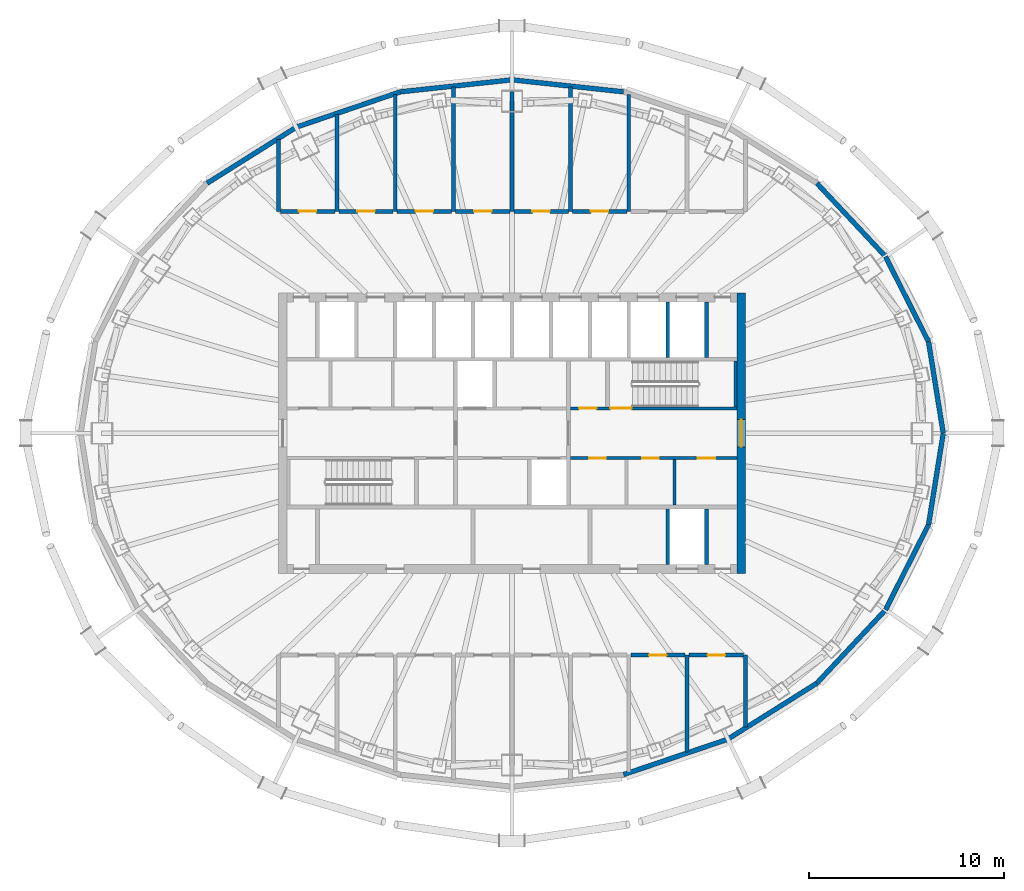
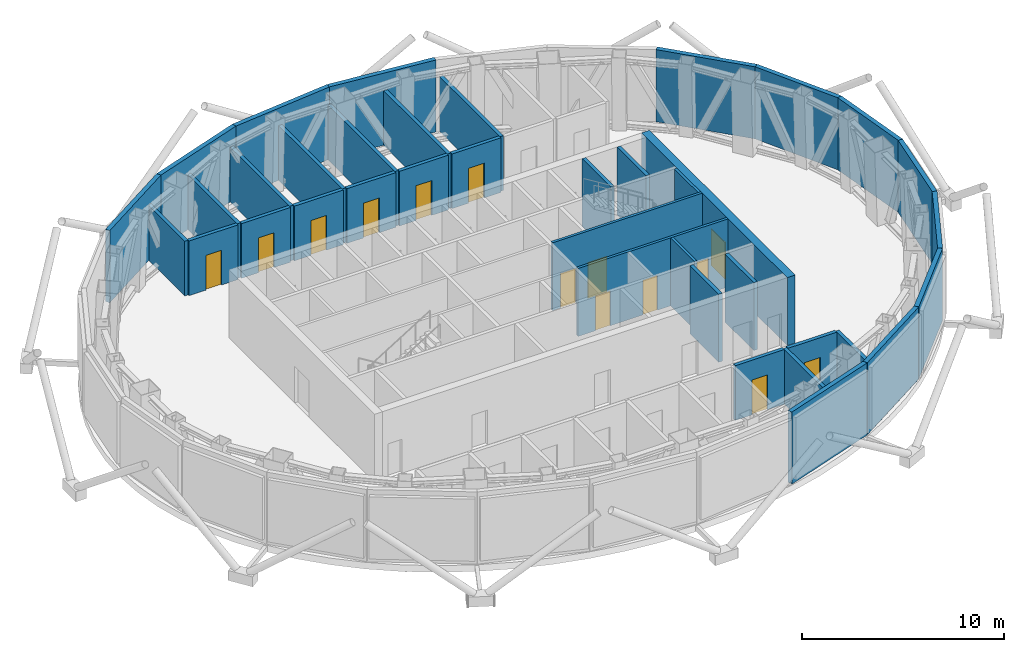
# One storey, part 7 of 15: 38 walls, 14 doors, 14 openings.
"""IFC4 building model written with IfcOpenShell, lengths in metres."""

from ifc_helpers import new_model, si_unit, direction, frame, frame_2d, origin, place, context, subcontext, project, spatial, rectangle, extrude, material, layer, layer_set, type_object, element, fill, save


model = new_model("IFC4")

# Units and contexts
model_context = context("Model", 3, precision=1e-05, world=origin(), true_north=direction((0.0, 1.0)))
body_context = subcontext(model_context, "Body", "Model", "MODEL_VIEW")
ifc_project = project(units=[si_unit("LENGTHUNIT", "METRE"), si_unit("AREAUNIT", "SQUARE_METRE"), si_unit("VOLUMEUNIT", "CUBIC_METRE"), si_unit("PLANEANGLEUNIT", "RADIAN"), si_unit("MASSUNIT", "GRAM", prefix="KILO")], contexts=[model_context])

# Site, building, storey
site_placement = place(None, origin())
site = spatial("IfcSite", under=ifc_project, at=site_placement, CompositionType="ELEMENT")
building_placement = place(site_placement, origin())
building = spatial("IfcBuilding", under=site, at=building_placement, Name="Siaravel Broadcast Tower", CompositionType="ELEMENT")
storey_placement = place(building_placement, frame((0.0, 0.0, 212.60009765625)))
storey = spatial("IfcBuildingStorey", under=building, at=storey_placement, Name="L51", CompositionType="ELEMENT", Elevation=212.60009765625)

# Wall
ifc_material_1 = material(Name="Concrete blockwork", Category="masonry")
ifc_layer_1 = layer(ifc_material_1, 0.14990234375)
ifc_layer_set_1 = layer_set([ifc_layer_1], Name="Concrete blockwork")
wall_type_1 = type_object("IfcWallType", Name="Core partition 150", PredefinedType="PARTITIONING", material=ifc_layer_set_1)
wall_1_placement = place(storey_placement, frame((8.340087890625, -3.699951171875, 0.0), z_axis=(0.0, 0.0, 1.0), x_axis=(0.0, 1.0, 0.0)))
element("IfcWall", 1, at=wall_1_placement, inside=storey, type_object=wall_type_1, Name="L51 core partition PSE1", PredefinedType="PARTITIONING", context=body_context, shape_type="SweptSolid", body=[
    extrude(rectangle(XDim=2.349853515625, YDim=0.14990234375, at=frame_2d((1.1748046875, 0.0))), origin(), (0.0, 0.0, 1.0), 4.099853515625),
])

# Wall, opening, door
ifc_material_2 = material(Name="Concrete C60/75", Category="concrete")
ifc_layer_2 = layer(ifc_material_2, 0.449951171875)
ifc_layer_set_2 = layer_set([ifc_layer_2], Name="Concrete C60/75")
wall_type_2 = type_object("IfcWallType", Name="Core wall 450", PredefinedType="SHEAR", material=ifc_layer_set_2)
wall_2_placement = place(storey_placement, frame((11.77490234375, -7.199951171875, 0.0), z_axis=(0.0, 0.0, 1.0), x_axis=(0.0, 1.0, 0.0)))
wall_2 = element("IfcWall", 2, at=wall_2_placement, inside=storey, type_object=wall_type_2, Name="L51 core wall OE", PredefinedType="SHEAR", context=body_context, shape_type="SweptSolid", body=[
    extrude(rectangle(XDim=14.39990234375, YDim=0.449951171875, at=frame_2d((7.199951171875, 0.0))), origin(), (0.0, 0.0, 1.0), 4.099853515625),
])
opening_1_placement = place(wall_2_placement, frame((6.5, 0.0, 0.0)))
opening_1 = element("IfcOpeningElement", 3, at=opening_1_placement, cuts=wall_2, Name="Opening L51-DX-E", PredefinedType="OPENING", context=body_context, shape_type="SweptSolid", body=[
    extrude(rectangle(XDim=1.39990234375, YDim=2.199951171875, at=frame_2d((0.699951171875, 1.10009765625))), frame((0.0, 0.23486328125, 0.0), z_axis=(0.0, -1.0, 0.0), x_axis=(1.0, 0.0, 0.0)), (0.0, 0.0, 1.0), 0.469970703125),
])
ifc_material_3 = material(Name="Steel", Category="steel")
door_type_1 = type_object("IfcDoorType", Name="Core exit door 1400", OperationType="DOUBLE_DOOR_SINGLE_SWING", PredefinedType="DOOR", material=ifc_material_3)
door_1_placement = place(opening_1_placement, origin())
door_1 = element("IfcDoor", 4, at=door_1_placement, inside=storey, type_object=door_type_1, Name="L51 door DX-E", OperationType="DOUBLE_DOOR_SINGLE_SWING", OverallHeight=2.199951171875, OverallWidth=1.39990234375, PredefinedType="DOOR", context=body_context, shape_type="SweptSolid", body=[
    extrude(rectangle(XDim=1.39990234375, YDim=2.199951171875, at=frame_2d((0.699951171875, 1.10009765625))), frame((0.0, 0.02490234375, 0.0), z_axis=(0.0, -1.0, 0.0), x_axis=(1.0, 0.0, 0.0)), (0.0, 0.0, 1.0), 0.050048828125),
])
fill(opening_1, door_1)

# Wall, openings, doors
ifc_material_4 = material(Name="Gypsum board partition", Category="gypsum")
ifc_layer_3 = layer(ifc_material_4, 0.14990234375)
ifc_layer_set_3 = layer_set([ifc_layer_3], Name="Gypsum board partition")
wall_type_3 = type_object("IfcWallType", Name="Corridor wall 150", PredefinedType="PARTITIONING", material=ifc_layer_set_3)
wall_3_placement = place(storey_placement, frame((3.0, -1.27490234375, 0.0), z_axis=(0.0, 0.0, 1.0), x_axis=(1.0, 0.0, 0.0)))
wall_3 = element("IfcWall", 5, at=wall_3_placement, inside=storey, type_object=wall_type_3, Name="L51 core partition CSE", PredefinedType="PARTITIONING", context=body_context, shape_type="SweptSolid", body=[
    extrude(rectangle(XDim=8.550048828125, YDim=0.14990234375, at=frame_2d((4.27490234375, 0.0))), origin(), (0.0, 0.0, 1.0), 4.099853515625),
])
opening_2_placement = place(wall_3_placement, frame((0.9775390625, 0.0, 0.0)))
opening_2 = element("IfcOpeningElement", 6, at=opening_2_placement, cuts=wall_3, Name="Opening L51-DSE0", PredefinedType="OPENING", context=body_context, shape_type="SweptSolid", body=[
    extrude(rectangle(XDim=0.85009765625, YDim=2.10009765625, at=frame_2d((0.425048828125, 1.050048828125))), frame((0.0, 0.0849609375, 0.0), z_axis=(0.0, -1.0, 0.0), x_axis=(1.0, 0.0, 0.0)), (0.0, 0.0, 1.0), 0.169921875),
])
opening_3_placement = place(wall_3_placement, frame((3.68505859375, 0.0, 0.0)))
opening_3 = element("IfcOpeningElement", 7, at=opening_3_placement, cuts=wall_3, Name="Opening L51-DSE1", PredefinedType="OPENING", context=body_context, shape_type="SweptSolid", body=[
    extrude(rectangle(XDim=0.85009765625, YDim=2.10009765625, at=frame_2d((0.425048828125, 1.050048828125))), frame((0.0, 0.0849609375, 0.0), z_axis=(0.0, -1.0, 0.0), x_axis=(1.0, 0.0, 0.0)), (0.0, 0.0, 1.0), 0.169921875),
])
opening_4_placement = place(wall_3_placement, frame((6.532470703125, 0.0, 0.0)))
opening_4 = element("IfcOpeningElement", 8, at=opening_4_placement, cuts=wall_3, Name="Opening L51-DSE2", PredefinedType="OPENING", context=body_context, shape_type="SweptSolid", body=[
    extrude(rectangle(XDim=0.89990234375, YDim=2.10009765625, at=frame_2d((0.449951171875, 1.050048828125))), frame((0.0, 0.0849609375, 0.0), z_axis=(0.0, -1.0, 0.0), x_axis=(1.0, 0.0, 0.0)), (0.0, 0.0, 1.0), 0.169921875),
])
ifc_material_5 = material(Name="Timber veneer", Category="wood")
door_type_2 = type_object("IfcDoorType", Name="Core room door 900", OperationType="SINGLE_SWING_LEFT", PredefinedType="DOOR", material=ifc_material_5)
door_2_placement = place(opening_4_placement, origin())
door_2 = element("IfcDoor", 9, at=door_2_placement, inside=storey, type_object=door_type_2, Name="L51 door DSE2", OperationType="SINGLE_SWING_LEFT", OverallHeight=2.10009765625, OverallWidth=0.89990234375, PredefinedType="DOOR", context=body_context, shape_type="SweptSolid", body=[
    extrude(rectangle(XDim=0.89990234375, YDim=2.10009765625, at=frame_2d((0.449951171875, 1.050048828125))), frame((0.0, 0.02490234375, 0.0), z_axis=(0.0, -1.0, 0.0), x_axis=(1.0, 0.0, 0.0)), (0.0, 0.0, 1.0), 0.050048828125),
])
fill(opening_4, door_2)
door_type_3 = type_object("IfcDoorType", Name="Core toilet door 850", OperationType="SINGLE_SWING_LEFT", PredefinedType="DOOR", material=ifc_material_5)
door_3_placement = place(opening_2_placement, origin())
door_3 = element("IfcDoor", 10, at=door_3_placement, inside=storey, type_object=door_type_3, Name="L51 door DSE0", OperationType="SINGLE_SWING_LEFT", OverallHeight=2.10009765625, OverallWidth=0.85009765625, PredefinedType="DOOR", context=body_context, shape_type="SweptSolid", body=[
    extrude(rectangle(XDim=0.85009765625, YDim=2.10009765625, at=frame_2d((0.425048828125, 1.050048828125))), frame((0.0, 0.02490234375, 0.0), z_axis=(0.0, -1.0, 0.0), x_axis=(1.0, 0.0, 0.0)), (0.0, 0.0, 1.0), 0.050048828125),
])
fill(opening_2, door_3)
door_4_placement = place(opening_3_placement, origin())
door_4 = element("IfcDoor", 11, at=door_4_placement, inside=storey, type_object=door_type_3, Name="L51 door DSE1", OperationType="SINGLE_SWING_LEFT", OverallHeight=2.10009765625, OverallWidth=0.85009765625, PredefinedType="DOOR", context=body_context, shape_type="SweptSolid", body=[
    extrude(rectangle(XDim=0.85009765625, YDim=2.10009765625, at=frame_2d((0.425048828125, 1.050048828125))), frame((0.0, 0.02490234375, 0.0), z_axis=(0.0, -1.0, 0.0), x_axis=(1.0, 0.0, 0.0)), (0.0, 0.0, 1.0), 0.050048828125),
])
fill(opening_3, door_4)

# Walls
ifc_layer_4 = layer(ifc_material_1, 0.199951171875)
ifc_layer_set_4 = layer_set([ifc_layer_4], Name="Concrete blockwork")
wall_type_4 = type_object("IfcWallType", Name="Plant room wall 200", PredefinedType="PARTITIONING", material=ifc_layer_set_4)
wall_4_placement = place(storey_placement, frame((0.0, 11.39990234375, 0.0), z_axis=(0.0, 0.0, 1.0), x_axis=(0.0, 1.0, 0.0)))
element("IfcWall", 12, at=wall_4_placement, inside=storey, type_object=wall_type_4, Name="L51 partition 2", PredefinedType="PARTITIONING", context=body_context, shape_type="SweptSolid", body=[
    extrude(rectangle(XDim=6.70751953125, YDim=0.199951171875, at=frame_2d((3.353759765625, 0.0))), origin(), (0.0, 0.0, 1.0), 3.2998046875),
])
for number, where, z_axis, x_axis, name in (
    (13, (-3.0, 11.39990234375, 0.0), (0.0, 0.0, 1.0), (0.0, 1.0, 0.0), "L51 partition 4"),
    (14, (3.0, 11.39990234375, 0.0), (0.0, 0.0, 1.0), (0.0, 1.0, 0.0), "L51 partition 6"),
):
    element("IfcWall", number, at=place(storey_placement, frame(where, z_axis=z_axis, x_axis=x_axis)), inside=storey, type_object=wall_type_4, Name=name, PredefinedType="PARTITIONING", context=body_context, shape_type="SweptSolid", body=[
        extrude(rectangle(XDim=6.384033203125, YDim=0.199951171875, at=frame_2d((3.19189453125, 0.0))), origin(), (0.0, 0.0, 1.0), 3.2998046875),
    ])
for number, where, z_axis, x_axis, name in (
    (15, (-6.0, 11.39990234375, 0.0), (0.0, 0.0, 1.0), (0.0, 1.0, 0.0), "L51 partition 8"),
    (16, (6.0, 11.39990234375, 0.0), (0.0, 0.0, 1.0), (0.0, 1.0, 0.0), "L51 partition 10"),
):
    element("IfcWall", number, at=place(storey_placement, frame(where, z_axis=z_axis, x_axis=x_axis)), inside=storey, type_object=wall_type_4, Name=name, PredefinedType="PARTITIONING", context=body_context, shape_type="SweptSolid", body=[
        extrude(rectangle(XDim=5.99853515625, YDim=0.199951171875, at=frame_2d((2.999267578125, 0.0))), origin(), (0.0, 0.0, 1.0), 3.2998046875),
    ])
for number, where, z_axis, x_axis, name in (
    (17, (-9.0, 11.39990234375, 0.0), (0.0, 0.0, 1.0), (0.0, 1.0, 0.0), "L51 partition 12"),
    (18, (9.0, -16.380615234375, 0.0), (0.0, 0.0, 1.0), (0.0, 1.0, 0.0), "L51 partition 13"),
):
    element("IfcWall", number, at=place(storey_placement, frame(where, z_axis=z_axis, x_axis=x_axis)), inside=storey, type_object=wall_type_4, Name=name, PredefinedType="PARTITIONING", context=body_context, shape_type="SweptSolid", body=[
        extrude(rectangle(XDim=4.980712890625, YDim=0.199951171875, at=frame_2d((2.490234375, 0.0))), origin(), (0.0, 0.0, 1.0), 3.2998046875),
    ])
for number, where, z_axis, x_axis, name in (
    (19, (-12.0, 15.094970703125, 0.0), (0.0, 0.0, 1.0), (0.0, -1.0, 0.0), "L51 partition 16"),
    (20, (12.0, -15.094970703125, 0.0), (0.0, 0.0, 1.0), (0.0, 1.0, 0.0), "L51 partition 17"),
):
    element("IfcWall", number, at=place(storey_placement, frame(where, z_axis=z_axis, x_axis=x_axis)), inside=storey, type_object=wall_type_4, Name=name, PredefinedType="PARTITIONING", context=body_context, shape_type="SweptSolid", body=[
        extrude(rectangle(XDim=3.70703125, YDim=0.199951171875, at=frame_2d((1.853515625, 0.0))), origin(), (0.0, 0.0, 1.0), 3.2998046875),
    ])

# Wall, opening, door
wall_5_placement = place(storey_placement, frame((-9.10205078125, 11.39990234375, 0.0), z_axis=(0.0, 0.0, 1.0), x_axis=(-1.0, 0.0, 0.0)))
wall_5 = element("IfcWall", 21, at=wall_5_placement, inside=storey, type_object=wall_type_4, Name="L51 partition 21", PredefinedType="PARTITIONING", context=body_context, shape_type="SweptSolid", body=[
    extrude(rectangle(XDim=2.7958984375, YDim=0.199951171875, at=frame_2d((1.39794921875, 0.0))), origin(), (0.0, 0.0, 1.0), 3.2998046875),
])
opening_5_placement = place(wall_5_placement, frame((0.947998046875, 0.0, 0.0)))
opening_5 = element("IfcOpeningElement", 22, at=opening_5_placement, cuts=wall_5, Name="Opening L51-001", PredefinedType="OPENING", context=body_context, shape_type="SweptSolid", body=[
    extrude(rectangle(XDim=0.89990234375, YDim=2.10009765625, at=frame_2d((0.449951171875, 1.050048828125))), frame((0.0, 0.10986328125, 0.0), z_axis=(0.0, -1.0, 0.0), x_axis=(1.0, 0.0, 0.0)), (0.0, 0.0, 1.0), 0.219970703125),
])
door_type_4 = type_object("IfcDoorType", Name="Plant room door 900", OperationType="SINGLE_SWING_LEFT", PredefinedType="DOOR", material=ifc_material_3)
door_5_placement = place(opening_5_placement, origin())
door_5 = element("IfcDoor", 23, at=door_5_placement, inside=storey, type_object=door_type_4, Name="L51 door to Air handling plant room", OperationType="SINGLE_SWING_LEFT", OverallHeight=2.10009765625, OverallWidth=0.89990234375, PredefinedType="DOOR", context=body_context, shape_type="SweptSolid", body=[
    extrude(rectangle(XDim=0.89990234375, YDim=2.10009765625, at=frame_2d((0.449951171875, 1.050048828125))), frame((0.0, 0.02490234375, 0.0), z_axis=(0.0, -1.0, 0.0), x_axis=(1.0, 0.0, 0.0)), (0.0, 0.0, 1.0), 0.050048828125),
])
fill(opening_5, door_5)

wall_6_placement = place(storey_placement, frame((-6.10205078125, 11.39990234375, 0.0), z_axis=(0.0, 0.0, 1.0), x_axis=(-1.0, 0.0, 0.0)))
wall_6 = element("IfcWall", 24, at=wall_6_placement, inside=storey, type_object=wall_type_4, Name="L51 partition 23", PredefinedType="PARTITIONING", context=body_context, shape_type="SweptSolid", body=[
    extrude(rectangle(XDim=2.7958984375, YDim=0.199951171875, at=frame_2d((1.39794921875, 0.0))), origin(), (0.0, 0.0, 1.0), 3.2998046875),
])
opening_6_placement = place(wall_6_placement, frame((0.947998046875, 0.0, 0.0)))
opening_6 = element("IfcOpeningElement", 25, at=opening_6_placement, cuts=wall_6, Name="Opening L51-002", PredefinedType="OPENING", context=body_context, shape_type="SweptSolid", body=[
    extrude(rectangle(XDim=0.89990234375, YDim=2.10009765625, at=frame_2d((0.449951171875, 1.050048828125))), frame((0.0, 0.10986328125, 0.0), z_axis=(0.0, -1.0, 0.0), x_axis=(1.0, 0.0, 0.0)), (0.0, 0.0, 1.0), 0.219970703125),
])
door_6_placement = place(opening_6_placement, origin())
door_6 = element("IfcDoor", 26, at=door_6_placement, inside=storey, type_object=door_type_4, Name="L51 door to Switch room", OperationType="SINGLE_SWING_RIGHT", OverallHeight=2.10009765625, OverallWidth=0.89990234375, PredefinedType="DOOR", context=body_context, shape_type="SweptSolid", body=[
    extrude(rectangle(XDim=0.89990234375, YDim=2.10009765625, at=frame_2d((0.449951171875, 1.050048828125))), frame((0.0, 0.02490234375, 0.0), z_axis=(0.0, -1.0, 0.0), x_axis=(1.0, 0.0, 0.0)), (0.0, 0.0, 1.0), 0.050048828125),
])
fill(opening_6, door_6)

wall_7_placement = place(storey_placement, frame((-3.10205078125, 11.39990234375, 0.0), z_axis=(0.0, 0.0, 1.0), x_axis=(-1.0, 0.0, 0.0)))
wall_7 = element("IfcWall", 27, at=wall_7_placement, inside=storey, type_object=wall_type_4, Name="L51 partition 25", PredefinedType="PARTITIONING", context=body_context, shape_type="SweptSolid", body=[
    extrude(rectangle(XDim=2.7958984375, YDim=0.199951171875, at=frame_2d((1.39794921875, 0.0))), origin(), (0.0, 0.0, 1.0), 3.2998046875),
])
opening_7_placement = place(wall_7_placement, frame((0.947998046875, 0.0, 0.0)))
opening_7 = element("IfcOpeningElement", 28, at=opening_7_placement, cuts=wall_7, Name="Opening L51-003", PredefinedType="OPENING", context=body_context, shape_type="SweptSolid", body=[
    extrude(rectangle(XDim=0.89990234375, YDim=2.10009765625, at=frame_2d((0.449951171875, 1.050048828125))), frame((0.0, 0.10986328125, 0.0), z_axis=(0.0, -1.0, 0.0), x_axis=(1.0, 0.0, 0.0)), (0.0, 0.0, 1.0), 0.219970703125),
])
door_7_placement = place(opening_7_placement, origin())
door_7 = element("IfcDoor", 29, at=door_7_placement, inside=storey, type_object=door_type_4, Name="L51 door to Transformer room", OperationType="SINGLE_SWING_LEFT", OverallHeight=2.10009765625, OverallWidth=0.89990234375, PredefinedType="DOOR", context=body_context, shape_type="SweptSolid", body=[
    extrude(rectangle(XDim=0.89990234375, YDim=2.10009765625, at=frame_2d((0.449951171875, 1.050048828125))), frame((0.0, 0.02490234375, 0.0), z_axis=(0.0, -1.0, 0.0), x_axis=(1.0, 0.0, 0.0)), (0.0, 0.0, 1.0), 0.050048828125),
])
fill(opening_7, door_7)

wall_8_placement = place(storey_placement, frame((-0.10205078125, 11.39990234375, 0.0), z_axis=(0.0, 0.0, 1.0), x_axis=(-1.0, 0.0, 0.0)))
wall_8 = element("IfcWall", 30, at=wall_8_placement, inside=storey, type_object=wall_type_4, Name="L51 partition 27", PredefinedType="PARTITIONING", context=body_context, shape_type="SweptSolid", body=[
    extrude(rectangle(XDim=2.7958984375, YDim=0.199951171875, at=frame_2d((1.39794921875, 0.0))), origin(), (0.0, 0.0, 1.0), 3.2998046875),
])
opening_8_placement = place(wall_8_placement, frame((0.947998046875, 0.0, 0.0)))
opening_8 = element("IfcOpeningElement", 31, at=opening_8_placement, cuts=wall_8, Name="Opening L51-004", PredefinedType="OPENING", context=body_context, shape_type="SweptSolid", body=[
    extrude(rectangle(XDim=0.89990234375, YDim=2.10009765625, at=frame_2d((0.449951171875, 1.050048828125))), frame((0.0, 0.10986328125, 0.0), z_axis=(0.0, -1.0, 0.0), x_axis=(1.0, 0.0, 0.0)), (0.0, 0.0, 1.0), 0.219970703125),
])
door_8_placement = place(opening_8_placement, origin())
door_8 = element("IfcDoor", 32, at=door_8_placement, inside=storey, type_object=door_type_4, Name="L51 door to Standby generator room", OperationType="SINGLE_SWING_RIGHT", OverallHeight=2.10009765625, OverallWidth=0.89990234375, PredefinedType="DOOR", context=body_context, shape_type="SweptSolid", body=[
    extrude(rectangle(XDim=0.89990234375, YDim=2.10009765625, at=frame_2d((0.449951171875, 1.050048828125))), frame((0.0, 0.02490234375, 0.0), z_axis=(0.0, -1.0, 0.0), x_axis=(1.0, 0.0, 0.0)), (0.0, 0.0, 1.0), 0.050048828125),
])
fill(opening_8, door_8)

wall_9_placement = place(storey_placement, frame((2.89794921875, 11.39990234375, 0.0), z_axis=(0.0, 0.0, 1.0), x_axis=(-1.0, 0.0, 0.0)))
wall_9 = element("IfcWall", 33, at=wall_9_placement, inside=storey, type_object=wall_type_4, Name="L51 partition 29", PredefinedType="PARTITIONING", context=body_context, shape_type="SweptSolid", body=[
    extrude(rectangle(XDim=2.7958984375, YDim=0.199951171875, at=frame_2d((1.39794921875, 0.0))), origin(), (0.0, 0.0, 1.0), 3.2998046875),
])
opening_9_placement = place(wall_9_placement, frame((0.947998046875, 0.0, 0.0)))
opening_9 = element("IfcOpeningElement", 34, at=opening_9_placement, cuts=wall_9, Name="Opening L51-005", PredefinedType="OPENING", context=body_context, shape_type="SweptSolid", body=[
    extrude(rectangle(XDim=0.89990234375, YDim=2.10009765625, at=frame_2d((0.449951171875, 1.050048828125))), frame((0.0, 0.10986328125, 0.0), z_axis=(0.0, -1.0, 0.0), x_axis=(1.0, 0.0, 0.0)), (0.0, 0.0, 1.0), 0.219970703125),
])
door_9_placement = place(opening_9_placement, origin())
door_9 = element("IfcDoor", 35, at=door_9_placement, inside=storey, type_object=door_type_4, Name="L51 door to Mechanical plant room", OperationType="SINGLE_SWING_LEFT", OverallHeight=2.10009765625, OverallWidth=0.89990234375, PredefinedType="DOOR", context=body_context, shape_type="SweptSolid", body=[
    extrude(rectangle(XDim=0.89990234375, YDim=2.10009765625, at=frame_2d((0.449951171875, 1.050048828125))), frame((0.0, 0.02490234375, 0.0), z_axis=(0.0, -1.0, 0.0), x_axis=(1.0, 0.0, 0.0)), (0.0, 0.0, 1.0), 0.050048828125),
])
fill(opening_9, door_9)

wall_10_placement = place(storey_placement, frame((6.10205078125, -11.39990234375, 0.0), z_axis=(0.0, 0.0, 1.0), x_axis=(1.0, 0.0, 0.0)))
wall_10 = element("IfcWall", 36, at=wall_10_placement, inside=storey, type_object=wall_type_4, Name="L51 partition 30", PredefinedType="PARTITIONING", context=body_context, shape_type="SweptSolid", body=[
    extrude(rectangle(XDim=2.7958984375, YDim=0.199951171875, at=frame_2d((1.39794921875, 0.0))), origin(), (0.0, 0.0, 1.0), 3.2998046875),
])
opening_10_placement = place(wall_10_placement, frame((0.947998046875, 0.0, 0.0)))
opening_10 = element("IfcOpeningElement", 37, at=opening_10_placement, cuts=wall_10, Name="Opening L51-015", PredefinedType="OPENING", context=body_context, shape_type="SweptSolid", body=[
    extrude(rectangle(XDim=0.89990234375, YDim=2.10009765625, at=frame_2d((0.449951171875, 1.050048828125))), frame((0.0, 0.10986328125, 0.0), z_axis=(0.0, -1.0, 0.0), x_axis=(1.0, 0.0, 0.0)), (0.0, 0.0, 1.0), 0.219970703125),
])
door_10_placement = place(opening_10_placement, origin())
door_10 = element("IfcDoor", 38, at=door_10_placement, inside=storey, type_object=door_type_4, Name="L51 door to Generator plant room", OperationType="SINGLE_SWING_LEFT", OverallHeight=2.10009765625, OverallWidth=0.89990234375, PredefinedType="DOOR", context=body_context, shape_type="SweptSolid", body=[
    extrude(rectangle(XDim=0.89990234375, YDim=2.10009765625, at=frame_2d((0.449951171875, 1.050048828125))), frame((0.0, 0.02490234375, 0.0), z_axis=(0.0, -1.0, 0.0), x_axis=(1.0, 0.0, 0.0)), (0.0, 0.0, 1.0), 0.050048828125),
])
fill(opening_10, door_10)

wall_11_placement = place(storey_placement, frame((5.89794921875, 11.39990234375, 0.0), z_axis=(0.0, 0.0, 1.0), x_axis=(-1.0, 0.0, 0.0)))
wall_11 = element("IfcWall", 39, at=wall_11_placement, inside=storey, type_object=wall_type_4, Name="L51 partition 31", PredefinedType="PARTITIONING", context=body_context, shape_type="SweptSolid", body=[
    extrude(rectangle(XDim=2.7958984375, YDim=0.199951171875, at=frame_2d((1.39794921875, 0.0))), origin(), (0.0, 0.0, 1.0), 3.2998046875),
])
opening_11_placement = place(wall_11_placement, frame((0.947998046875, 0.0, 0.0)))
opening_11 = element("IfcOpeningElement", 40, at=opening_11_placement, cuts=wall_11, Name="Opening L51-006", PredefinedType="OPENING", context=body_context, shape_type="SweptSolid", body=[
    extrude(rectangle(XDim=0.89990234375, YDim=2.10009765625, at=frame_2d((0.449951171875, 1.050048828125))), frame((0.0, 0.10986328125, 0.0), z_axis=(0.0, -1.0, 0.0), x_axis=(1.0, 0.0, 0.0)), (0.0, 0.0, 1.0), 0.219970703125),
])
door_11_placement = place(opening_11_placement, origin())
door_11 = element("IfcDoor", 41, at=door_11_placement, inside=storey, type_object=door_type_4, Name="L51 door to Chilled water plant room", OperationType="SINGLE_SWING_RIGHT", OverallHeight=2.10009765625, OverallWidth=0.89990234375, PredefinedType="DOOR", context=body_context, shape_type="SweptSolid", body=[
    extrude(rectangle(XDim=0.89990234375, YDim=2.10009765625, at=frame_2d((0.449951171875, 1.050048828125))), frame((0.0, 0.02490234375, 0.0), z_axis=(0.0, -1.0, 0.0), x_axis=(1.0, 0.0, 0.0)), (0.0, 0.0, 1.0), 0.050048828125),
])
fill(opening_11, door_11)

wall_12_placement = place(storey_placement, frame((9.10205078125, -11.39990234375, 0.0), z_axis=(0.0, 0.0, 1.0), x_axis=(1.0, 0.0, 0.0)))
wall_12 = element("IfcWall", 42, at=wall_12_placement, inside=storey, type_object=wall_type_4, Name="L51 partition 32", PredefinedType="PARTITIONING", context=body_context, shape_type="SweptSolid", body=[
    extrude(rectangle(XDim=2.7958984375, YDim=0.199951171875, at=frame_2d((1.39794921875, 0.0))), origin(), (0.0, 0.0, 1.0), 3.2998046875),
])
opening_12_placement = place(wall_12_placement, frame((0.947998046875, 0.0, 0.0)))
opening_12 = element("IfcOpeningElement", 43, at=opening_12_placement, cuts=wall_12, Name="Opening L51-016", PredefinedType="OPENING", context=body_context, shape_type="SweptSolid", body=[
    extrude(rectangle(XDim=0.89990234375, YDim=2.10009765625, at=frame_2d((0.449951171875, 1.050048828125))), frame((0.0, 0.10986328125, 0.0), z_axis=(0.0, -1.0, 0.0), x_axis=(1.0, 0.0, 0.0)), (0.0, 0.0, 1.0), 0.219970703125),
])
door_12_placement = place(opening_12_placement, origin())
door_12 = element("IfcDoor", 44, at=door_12_placement, inside=storey, type_object=door_type_4, Name="L51 door to Cooling tower plant room", OperationType="SINGLE_SWING_RIGHT", OverallHeight=2.10009765625, OverallWidth=0.89990234375, PredefinedType="DOOR", context=body_context, shape_type="SweptSolid", body=[
    extrude(rectangle(XDim=0.89990234375, YDim=2.10009765625, at=frame_2d((0.449951171875, 1.050048828125))), frame((0.0, 0.02490234375, 0.0), z_axis=(0.0, -1.0, 0.0), x_axis=(1.0, 0.0, 0.0)), (0.0, 0.0, 1.0), 0.050048828125),
])
fill(opening_12, door_12)

# Walls
ifc_material_6 = material(Name="Concrete C40/50", Category="concrete")
ifc_layer_5 = layer(ifc_material_6, 0.25)
ifc_layer_set_5 = layer_set([ifc_layer_5], Name="Concrete C40/50")
wall_type_5 = type_object("IfcWallType", Name="Plant storey wall", PredefinedType="STANDARD", material=ifc_layer_set_5)
wall_13_placement = place(storey_placement, frame((22.15625, 0.0, 0.0), z_axis=(0.0, 0.0, 1.0), x_axis=(-0.15871022, 0.987325208, 0.0)))
element("IfcWall", 45, at=wall_13_placement, inside=storey, type_object=wall_type_5, Name="L51 plant storey wall 01", PredefinedType="STANDARD", context=body_context, shape_type="SweptSolid", body=[
    extrude(rectangle(XDim=4.762451171875, YDim=0.25, at=frame_2d((2.38134765625, 0.0))), origin(), (0.0, 0.0, 1.0), 4.349853515625),
])
wall_14_placement = place(storey_placement, frame((21.400390625, 4.7021484375, 0.0), z_axis=(0.0, 0.0, 1.0), x_axis=(-0.451267564, 0.892388696, 0.0)))
element("IfcWall", 46, at=wall_14_placement, inside=storey, type_object=wall_type_5, Name="L51 plant storey wall 02", PredefinedType="STANDARD", context=body_context, shape_type="SweptSolid", body=[
    extrude(rectangle(XDim=4.90869140625, YDim=0.25, at=frame_2d((2.454345703125, 0.0))), origin(), (0.0, 0.0, 1.0), 4.349853515625),
])
wall_15_placement = place(storey_placement, frame((19.185302734375, 9.08251953125, 0.0), z_axis=(0.0, 0.0, 1.0), x_axis=(-0.683652616, 0.729807578, 0.0)))
element("IfcWall", 47, at=wall_15_placement, inside=storey, type_object=wall_type_5, Name="L51 plant storey wall 03", PredefinedType="STANDARD", context=body_context, shape_type="SweptSolid", body=[
    extrude(rectangle(XDim=5.152099609375, YDim=0.25, at=frame_2d((2.576171875, 0.0))), origin(), (0.0, 0.0, 1.0), 4.349853515625),
])
for number, where, z_axis, x_axis, name in (
    (48, (5.732177734375, 17.539306640625, 0.0), (0.0, 0.0, 1.0), (-0.994235386, 0.107219387, 0.0), "L51 plant storey wall 06"),
    (49, (0.0, 18.157470703125, 0.0), (0.0, 0.0, 1.0), (-0.994235386, -0.107219387, 0.0), "L51 plant storey wall 07"),
):
    element("IfcWall", number, at=place(storey_placement, frame(where, z_axis=z_axis, x_axis=x_axis)), inside=storey, type_object=wall_type_5, Name=name, PredefinedType="STANDARD", context=body_context, shape_type="SweptSolid", body=[
        extrude(rectangle(XDim=5.765380859375, YDim=0.25, at=frame_2d((2.8828125, 0.0))), origin(), (0.0, 0.0, 1.0), 4.349853515625),
    ])
wall_16_placement = place(storey_placement, frame((-5.732177734375, 17.539306640625, 0.0), z_axis=(0.0, 0.0, 1.0), x_axis=(-0.946981992, -0.321286642, 0.0)))
element("IfcWall", 50, at=wall_16_placement, inside=storey, type_object=wall_type_5, Name="L51 plant storey wall 08", PredefinedType="STANDARD", context=body_context, shape_type="SweptSolid", body=[
    extrude(rectangle(XDim=5.641357421875, YDim=0.25, at=frame_2d((2.82080078125, 0.0))), origin(), (0.0, 0.0, 1.0), 4.349853515625),
])
wall_17_placement = place(storey_placement, frame((-11.074462890625, 15.726806640625, 0.0), z_axis=(0.0, 0.0, 1.0), x_axis=(-0.846636549, -0.532171545, 0.0)))
element("IfcWall", 51, at=wall_17_placement, inside=storey, type_object=wall_type_5, Name="L51 plant storey wall 09", PredefinedType="STANDARD", context=body_context, shape_type="SweptSolid", body=[
    extrude(rectangle(XDim=5.419921875, YDim=0.25, at=frame_2d((2.7099609375, 0.0))), origin(), (0.0, 0.0, 1.0), 4.349853515625),
])
wall_18_placement = place(storey_placement, frame((5.732177734375, -17.539306640625, 0.0), z_axis=(0.0, 0.0, 1.0), x_axis=(0.946981992, 0.321286642, 0.0)))
element("IfcWall", 52, at=wall_18_placement, inside=storey, type_object=wall_type_5, Name="L51 plant storey wall 20", PredefinedType="STANDARD", context=body_context, shape_type="SweptSolid", body=[
    extrude(rectangle(XDim=5.641357421875, YDim=0.25, at=frame_2d((2.82080078125, 0.0))), origin(), (0.0, 0.0, 1.0), 4.349853515625),
])
wall_19_placement = place(storey_placement, frame((11.074462890625, -15.726806640625, 0.0), z_axis=(0.0, 0.0, 1.0), x_axis=(0.846636549, 0.532171545, 0.0)))
element("IfcWall", 53, at=wall_19_placement, inside=storey, type_object=wall_type_5, Name="L51 plant storey wall 21", PredefinedType="STANDARD", context=body_context, shape_type="SweptSolid", body=[
    extrude(rectangle(XDim=5.419921875, YDim=0.25, at=frame_2d((2.7099609375, 0.0))), origin(), (0.0, 0.0, 1.0), 4.349853515625),
])
wall_20_placement = place(storey_placement, frame((15.6630859375, -12.842529296875, 0.0), z_axis=(0.0, 0.0, 1.0), x_axis=(0.683652616, 0.729807578, 0.0)))
element("IfcWall", 54, at=wall_20_placement, inside=storey, type_object=wall_type_5, Name="L51 plant storey wall 22", PredefinedType="STANDARD", context=body_context, shape_type="SweptSolid", body=[
    extrude(rectangle(XDim=5.152099609375, YDim=0.25, at=frame_2d((2.576171875, 0.0))), origin(), (0.0, 0.0, 1.0), 4.349853515625),
])
wall_21_placement = place(storey_placement, frame((19.185302734375, -9.08251953125, 0.0), z_axis=(0.0, 0.0, 1.0), x_axis=(0.451267564, 0.892388696, 0.0)))
element("IfcWall", 55, at=wall_21_placement, inside=storey, type_object=wall_type_5, Name="L51 plant storey wall 23", PredefinedType="STANDARD", context=body_context, shape_type="SweptSolid", body=[
    extrude(rectangle(XDim=4.90869140625, YDim=0.25, at=frame_2d((2.454345703125, 0.0))), origin(), (0.0, 0.0, 1.0), 4.349853515625),
])
wall_22_placement = place(storey_placement, frame((21.400390625, -4.7021484375, 0.0), z_axis=(0.0, 0.0, 1.0), x_axis=(0.15871022, 0.987325208, 0.0)))
element("IfcWall", 56, at=wall_22_placement, inside=storey, type_object=wall_type_5, Name="L51 plant storey wall 24", PredefinedType="STANDARD", context=body_context, shape_type="SweptSolid", body=[
    extrude(rectangle(XDim=4.762451171875, YDim=0.25, at=frame_2d((2.38134765625, 0.0))), origin(), (0.0, 0.0, 1.0), 4.349853515625),
])

# Wall, openings, doors
ifc_layer_6 = layer(ifc_material_2, 0.14990234375)
ifc_layer_set_6 = layer_set([ifc_layer_6], Name="Concrete C60/75")
wall_type_6 = type_object("IfcWallType", Name="Shaft wall 150", PredefinedType="SHEAR", material=ifc_layer_set_6)
wall_23_placement = place(storey_placement, frame((3.0, 1.27490234375, 0.0), z_axis=(0.0, 0.0, 1.0), x_axis=(1.0, 0.0, 0.0)))
wall_23 = element("IfcWall", 57, at=wall_23_placement, inside=storey, type_object=wall_type_6, Name="L51 core wall CNE", PredefinedType="SHEAR", context=body_context, shape_type="SweptSolid", body=[
    extrude(rectangle(XDim=8.550048828125, YDim=0.14990234375, at=frame_2d((4.27490234375, 0.0))), origin(), (0.0, 0.0, 1.0), 4.099853515625),
])
opening_13_placement = place(wall_23_placement, frame((2.050048828125, 0.0, 0.0)))
opening_13 = element("IfcOpeningElement", 58, at=opening_13_placement, cuts=wall_23, Name="Opening L51-DS-2", PredefinedType="OPENING", context=body_context, shape_type="SweptSolid", body=[
    extrude(rectangle(XDim=1.10009765625, YDim=2.14990234375, at=frame_2d((0.550048828125, 1.074951171875))), frame((0.0, 0.0849609375, 0.0), z_axis=(0.0, -1.0, 0.0), x_axis=(1.0, 0.0, 0.0)), (0.0, 0.0, 1.0), 0.169921875),
])
opening_14_placement = place(wall_23_placement, frame((0.449951171875, 0.0, 0.0)))
opening_14 = element("IfcOpeningElement", 59, at=opening_14_placement, cuts=wall_23, Name="Opening L51-DNE0", PredefinedType="OPENING", context=body_context, shape_type="SweptSolid", body=[
    extrude(rectangle(XDim=0.89990234375, YDim=2.10009765625, at=frame_2d((0.449951171875, 1.050048828125))), frame((0.0, 0.0849609375, 0.0), z_axis=(0.0, -1.0, 0.0), x_axis=(1.0, 0.0, 0.0)), (0.0, 0.0, 1.0), 0.169921875),
])
door_13_placement = place(opening_14_placement, origin())
door_13 = element("IfcDoor", 60, at=door_13_placement, inside=storey, type_object=door_type_2, Name="L51 door DNE0", OperationType="SINGLE_SWING_LEFT", OverallHeight=2.10009765625, OverallWidth=0.89990234375, PredefinedType="DOOR", context=body_context, shape_type="SweptSolid", body=[
    extrude(rectangle(XDim=0.89990234375, YDim=2.10009765625, at=frame_2d((0.449951171875, 1.050048828125))), frame((0.0, 0.02490234375, 0.0), z_axis=(0.0, -1.0, 0.0), x_axis=(1.0, 0.0, 0.0)), (0.0, 0.0, 1.0), 0.050048828125),
])
fill(opening_14, door_13)
door_type_5 = type_object("IfcDoorType", Name="Stair door 1100", OperationType="SINGLE_SWING_LEFT", PredefinedType="DOOR", material=ifc_material_3)
door_14_placement = place(opening_13_placement, origin())
door_14 = element("IfcDoor", 61, at=door_14_placement, inside=storey, type_object=door_type_5, Name="L51 door DS-2", OperationType="SINGLE_SWING_LEFT", OverallHeight=2.14990234375, OverallWidth=1.10009765625, PredefinedType="DOOR", context=body_context, shape_type="SweptSolid", body=[
    extrude(rectangle(XDim=1.10009765625, YDim=2.14990234375, at=frame_2d((0.550048828125, 1.074951171875))), frame((0.0, 0.02490234375, 0.0), z_axis=(0.0, -1.0, 0.0), x_axis=(1.0, 0.0, 0.0)), (0.0, 0.0, 1.0), 0.050048828125),
])
fill(opening_13, door_14)

# Walls
wall_24_placement = place(storey_placement, frame((11.47509765625, 1.35009765625, 0.0), z_axis=(0.0, 0.0, 1.0), x_axis=(0.0, 1.0, 0.0)))
element("IfcWall", 62, at=wall_24_placement, inside=storey, type_object=wall_type_6, Name="L51 core wall ST2E", PredefinedType="SHEAR", context=body_context, shape_type="SweptSolid", body=[
    extrude(rectangle(XDim=2.349853515625, YDim=0.14990234375, at=frame_2d((1.1748046875, 0.0))), origin(), (0.0, 0.0, 1.0), 4.099853515625),
])
ifc_layer_7 = layer(ifc_material_2, 0.199951171875)
ifc_layer_set_7 = layer_set([ifc_layer_7], Name="Concrete C60/75")
wall_type_7 = type_object("IfcWallType", Name="Shaft wall 200", PredefinedType="SHEAR", material=ifc_layer_set_7)
for number, where, z_axis, x_axis, name in (
    (63, (8.0, -6.75, 0.0), (0.0, 0.0, 1.0), (0.0, 1.0, 0.0), "L51 core wall SWS9"),
    (64, (10.0, -6.75, 0.0), (0.0, 0.0, 1.0), (0.0, 1.0, 0.0), "L51 core wall SWS10"),
    (65, (8.0, 3.89990234375, 0.0), (0.0, 0.0, 1.0), (0.0, 1.0, 0.0), "L51 core wall SWN9"),
    (66, (10.0, 3.89990234375, 0.0), (0.0, 0.0, 1.0), (0.0, 1.0, 0.0), "L51 core wall SWN10"),
):
    element("IfcWall", number, at=place(storey_placement, frame(where, z_axis=z_axis, x_axis=x_axis)), inside=storey, type_object=wall_type_7, Name=name, PredefinedType="SHEAR", context=body_context, shape_type="SweptSolid", body=[
        extrude(rectangle(XDim=2.85009765625, YDim=0.199951171875, at=frame_2d((1.425048828125, 0.0))), origin(), (0.0, 0.0, 1.0), 4.099853515625),
    ])

save(model, "model.ifc")
